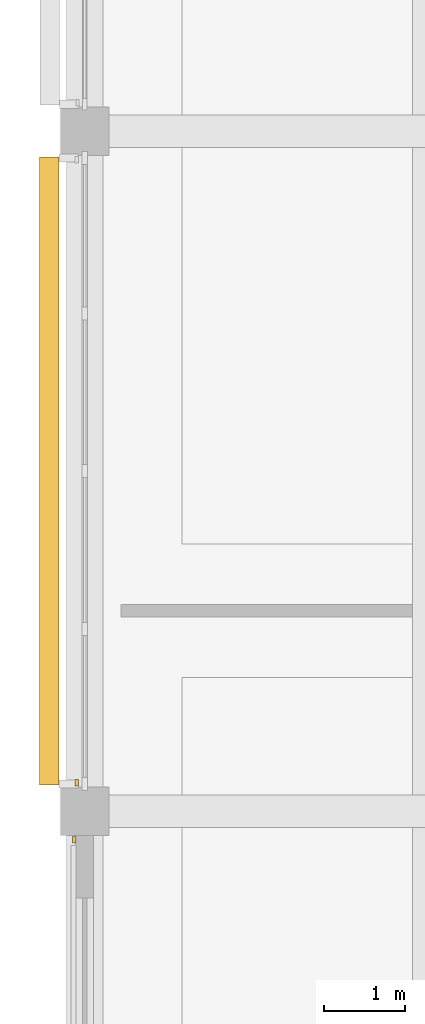
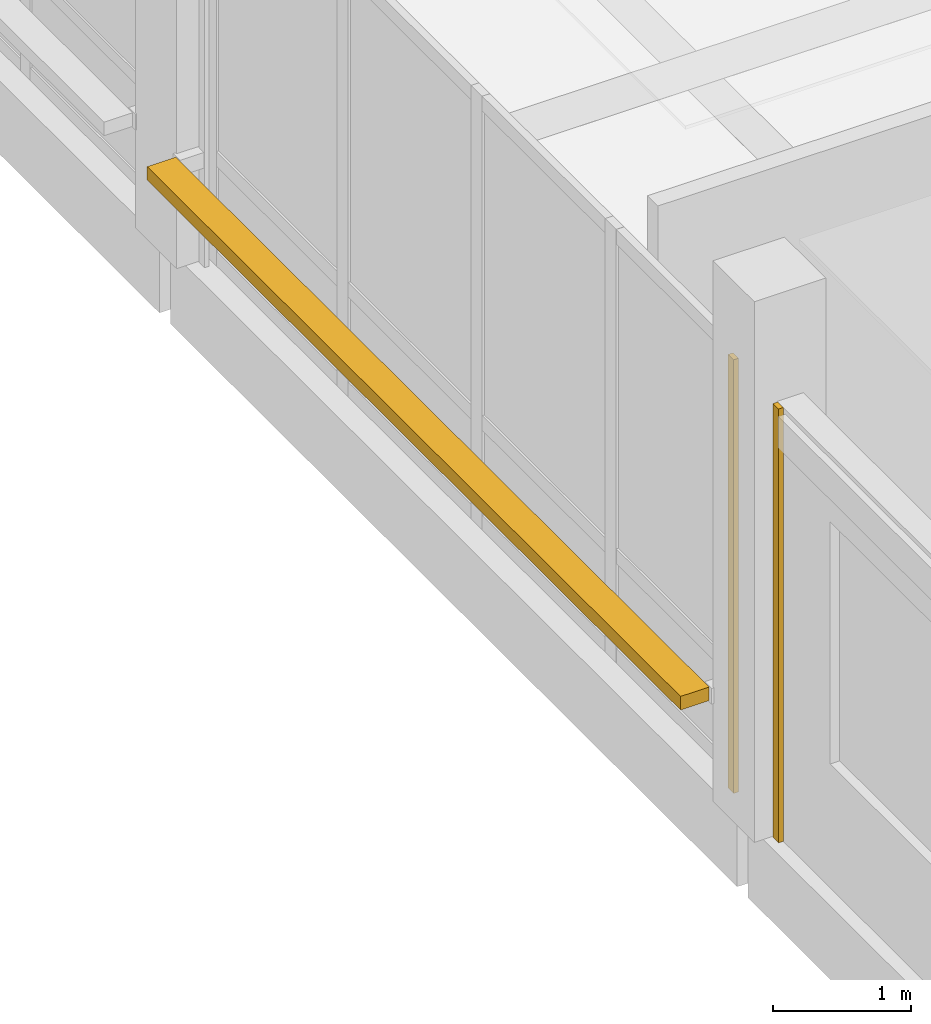
# One storey, part 87 of 122: 2 coverings, 1 shading device.
"""IFC4 building model written with IfcOpenShell, lengths in metres."""

from ifc_helpers import new_model, si_unit, direction, frame, origin, origin_2d, place, context, subcontext, project, spatial, rectangle, extrude, material, layer, layer_set, type_object, element, save


model = new_model("IFC4")

# Units and contexts
model_context = context("Model", 3, precision=1e-05, world=origin(), true_north=direction((0.0, 1.0)))
body_context = subcontext(model_context, "Body", "Model", "MODEL_VIEW")
ifc_project = project(units=[si_unit("LENGTHUNIT", "METRE"), si_unit("AREAUNIT", "SQUARE_METRE"), si_unit("VOLUMEUNIT", "CUBIC_METRE"), si_unit("PLANEANGLEUNIT", "RADIAN"), si_unit("MASSUNIT", "GRAM", prefix="KILO")], contexts=[model_context])

# Site, building, storey
site_placement = place(None, origin())
site = spatial("IfcSite", under=ifc_project, at=site_placement, CompositionType="ELEMENT")
building_placement = place(site_placement, origin())
building = spatial("IfcBuilding", under=site, at=building_placement, Name="Telukmera Botanical Conservatory", CompositionType="ELEMENT")
storey_placement = place(building_placement, frame((0.0, 0.0, 10.199951171875)))
storey = spatial("IfcBuildingStorey", under=building, at=storey_placement, Name="L02", CompositionType="ELEMENT", Elevation=10.199951171875)

# Coverings
ifc_material_1 = material(Name="Granite-faced precast concrete C40/50", Category="masonry")
ifc_layer_1 = layer(ifc_material_1, 0.0400390625)
ifc_layer_set_1 = layer_set([ifc_layer_1], Name="Granite-faced precast concrete C40/50")
covering_type = type_object("IfcCoveringType", Name="Granite Precast Column Pier Reveal Casing", PredefinedType="CLADDING", material=ifc_layer_set_1)
for number, where, z_axis, x_axis, name in (
    (1, (8.27001953125, 34.048095703125, 0.0), (0.0, 0.0, 1.0), (0.0, 1.0, 0.0), "Granite Pier Reveal V3:L02:W2B R"),
    (2, (8.300048828125, 34.751953125, 0.0), (0.0, 0.0, 1.0), (0.0, 1.0, 0.0), "Granite Pier Reveal V3:L02:W3 L"),
):
    element("IfcCovering", number, at=place(storey_placement, frame(where, z_axis=z_axis, x_axis=x_axis)), inside=storey, type_object=covering_type, Name=name, PredefinedType="CLADDING", context=body_context, shape_type="SweptSolid", body=[
        extrude(rectangle(XDim=0.080078125, YDim=0.0400390625, at=origin_2d()), origin(), (0.0, 0.0, 1.0), 3.85009765625),
    ])

# Shading device
ifc_material_2 = material(Name="Perforated terracotta-anodised aluminium 6063-T6", Category="masonry")
ifc_layer_2 = layer(ifc_material_2, 0.044921875)
ifc_layer_set_2 = layer_set([ifc_layer_2], Name="Perforated terracotta-anodised aluminium 6063-T6")
shading_device_type = type_object("IfcShadingDeviceType", Name="Perforated Terracotta Aluminium Monsoon Brise Soleil", PredefinedType="JALOUSIE", material=ifc_layer_set_2)
shading_device_placement = place(storey_placement, frame((7.9599609375, 38.60009765625, 0.889892578125), z_axis=(0.0, 0.0, 1.0), x_axis=(0.0, 1.0, 0.0)))
element("IfcShadingDevice", 3, at=shading_device_placement, inside=storey, type_object=shading_device_type, Name="Monsoon Shading BS01 V3:L02:W3", PredefinedType="JALOUSIE", context=body_context, shape_type="SweptSolid", body=[
    extrude(rectangle(XDim=7.756103515625, YDim=0.239990234375, at=origin_2d()), origin(), (0.0, 0.0, 1.0), 0.1201171875),
])

save(model, "model.ifc")
